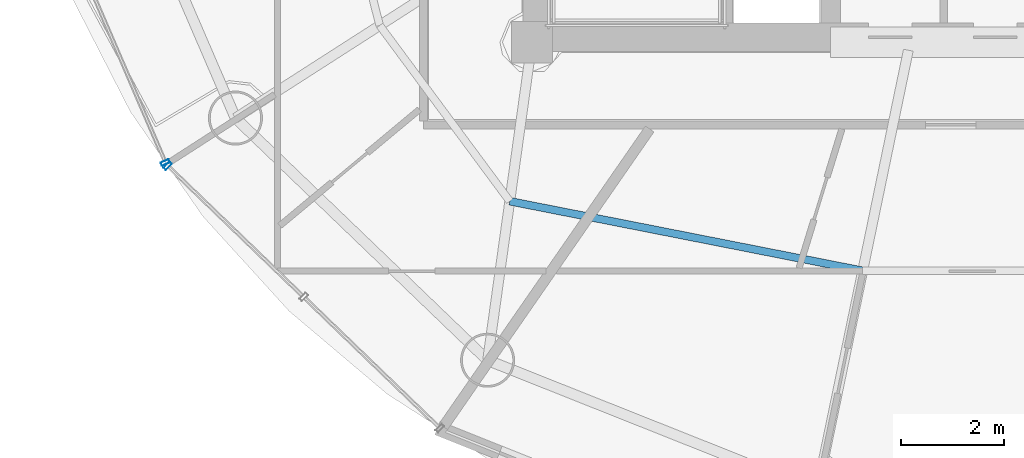
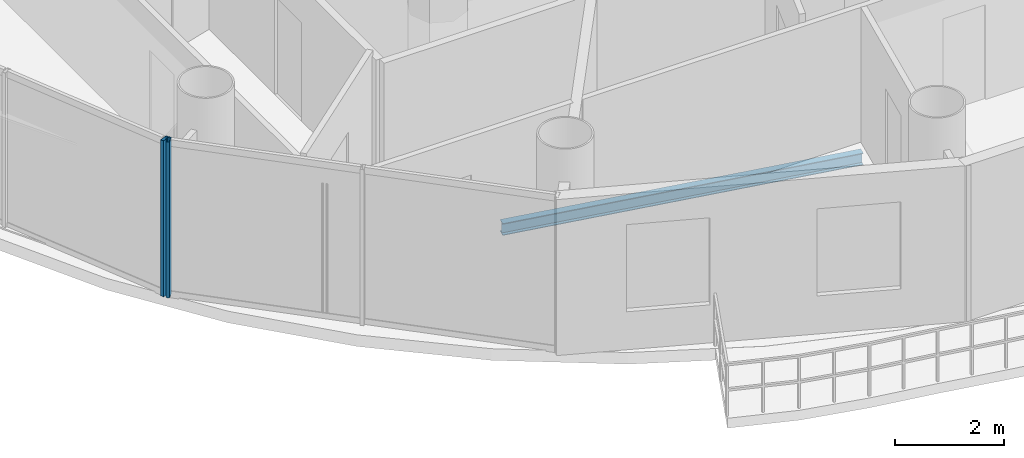
# One storey, part 3 of 24: 2 members, 1 beam, 2 elements without a shape of their own.
"""IFC4 building model written with IfcOpenShell, lengths in metres."""

from ifc_helpers import new_model, si_unit, direction, frame, origin, origin_2d, place, context, subcontext, project, spatial, hollow_rectangle, i_section, extrude, source, transform, mapped, material, material_profile, profile_set, type_object, element, aggregate, save


model = new_model("IFC4")

# Units and contexts
model_context = context("Model", 3, precision=1e-05, world=origin(), true_north=direction((-0.2419218956, 0.970295726276)))
body_context = subcontext(model_context, "Body", "Model", "MODEL_VIEW")
ifc_project = project(units=[si_unit("LENGTHUNIT", "METRE"), si_unit("AREAUNIT", "SQUARE_METRE"), si_unit("VOLUMEUNIT", "CUBIC_METRE"), si_unit("PLANEANGLEUNIT", "RADIAN"), si_unit("MASSUNIT", "GRAM", prefix="KILO")], contexts=[model_context])

# Site, building, storey
site_placement = place(None, origin())
site = spatial("IfcSite", under=ifc_project, at=site_placement, CompositionType="ELEMENT")
building_placement = place(site_placement, origin())
building = spatial("IfcBuilding", under=site, at=building_placement, Name="Cobrevalo Terracotta Tower", CompositionType="ELEMENT")
storey_placement = place(building_placement, frame((0.0, 0.0, 274.449951171875)))
storey = spatial("IfcBuildingStorey", under=building, at=storey_placement, Name="L72", CompositionType="ELEMENT", Elevation=274.449951171875)

# Beam
ifc_material_1 = material(Name="Steel S355", Category="steel")
ifc_material_profile_1 = material_profile(ifc_material_1, i_section(OverallWidth=0.14794921875, OverallDepth=0.26611328125, WebThickness=0.007568359375, FlangeThickness=0.012939453125, at=origin_2d()), Name="W 250x44.8")
ifc_profile_set_1 = profile_set([ifc_material_profile_1], Name="Steel S355")
beam_type = type_object("IfcBeamType", Name="Structural Joist W 250x44.8 (Steel S355)", PredefinedType="JOIST", material=ifc_profile_set_1)
beam_placement = place(storey_placement, frame((28.5693359375, 15.711669921875, -0.39306640625), z_axis=(0.981145060421, -0.193272787563, 0.0), x_axis=(0.193272787563, 0.981145060421, 0.0)))
element("IfcBeam", 1, at=beam_placement, inside=storey, type_object=beam_type, Name="L72 circumferential secondary floor joist 11", PredefinedType="JOIST", context=body_context, shape_type="SweptSolid", body=[
    extrude(i_section(OverallWidth=0.14794921875, OverallDepth=0.26611328125, WebThickness=0.007568359375, FlangeThickness=0.012939453125, at=origin_2d()), origin(), (0.0, 0.0, 1.0), 6.98681640625),
])

# Curtain wall, member
ifc_material_2 = material(Name="Anodized aluminium", Category="aluminium")
curtain_wall_type = type_object("IfcCurtainWallType", Name="Upper-tower triple-glazed penthouse curtain wall CW-U3", PredefinedType="NOTDEFINED", material=ifc_material_2)
curtain_wall_1_placement = place(storey_placement, origin())
curtain_wall_1 = element("IfcCurtainWall", 2, at=curtain_wall_1_placement, inside=storey, type_object=curtain_wall_type, Name="L72 curtain wall CW-L72-S09", PredefinedType="NOTDEFINED")
ifc_material_profile_2 = material_profile(ifc_material_2, hollow_rectangle(XDim=0.070068359375, YDim=0.169921875, WallThickness=0.00439453125, at=origin_2d()), Name="CWM 70x170")
ifc_profile_set_2 = profile_set([ifc_material_profile_2], Name="Anodized aluminium")
member_type = type_object("IfcMemberType", Name="Upper tower unitised mullion 70x170", PredefinedType="MULLION", material=ifc_profile_set_2)
shared_shape = source(origin(), body_context, "Body", "SweptSolid", [
    extrude(hollow_rectangle(XDim=0.070068359375, YDim=0.169921875, WallThickness=0.00439453125, at=origin_2d()), origin(), (0.0, 0.0, 1.0), 3.489990234375),
])
member_1_placement = place(storey_placement, frame((21.878662109375, 16.46435546875, 0.0), z_axis=(0.0, 0.0, 1.0), x_axis=(0.39482403454, -0.91875675875, 0.0)))
member_1 = element("IfcMember", 3, at=member_1_placement, type_object=member_type, Name="CW-L72-S09 vertical mullion 03", PredefinedType="MULLION", context=body_context, shape_type="MappedRepresentation", body=[
    mapped(shared_shape, transform((0.0, 0.0, 0.0), scale=1.0)),
])
aggregate(curtain_wall_1, [member_1])

curtain_wall_2_placement = place(storey_placement, origin())
curtain_wall_2 = element("IfcCurtainWall", 4, at=curtain_wall_2_placement, inside=storey, type_object=curtain_wall_type, Name="L72 curtain wall CW-L72-S10", PredefinedType="NOTDEFINED")
member_2_placement = place(storey_placement, frame((21.92333984375, 16.399658203125, 0.0), z_axis=(0.0, 0.0, 1.0), x_axis=(0.71999418085, -0.69398010025, 0.0)))
member_2 = element("IfcMember", 5, at=member_2_placement, type_object=member_type, Name="CW-L72-S10 vertical mullion 01", PredefinedType="MULLION", context=body_context, shape_type="MappedRepresentation", body=[
    mapped(shared_shape, transform((0.0, 0.0, 0.0), scale=1.0)),
])
aggregate(curtain_wall_2, [member_2])

save(model, "model.ifc")
